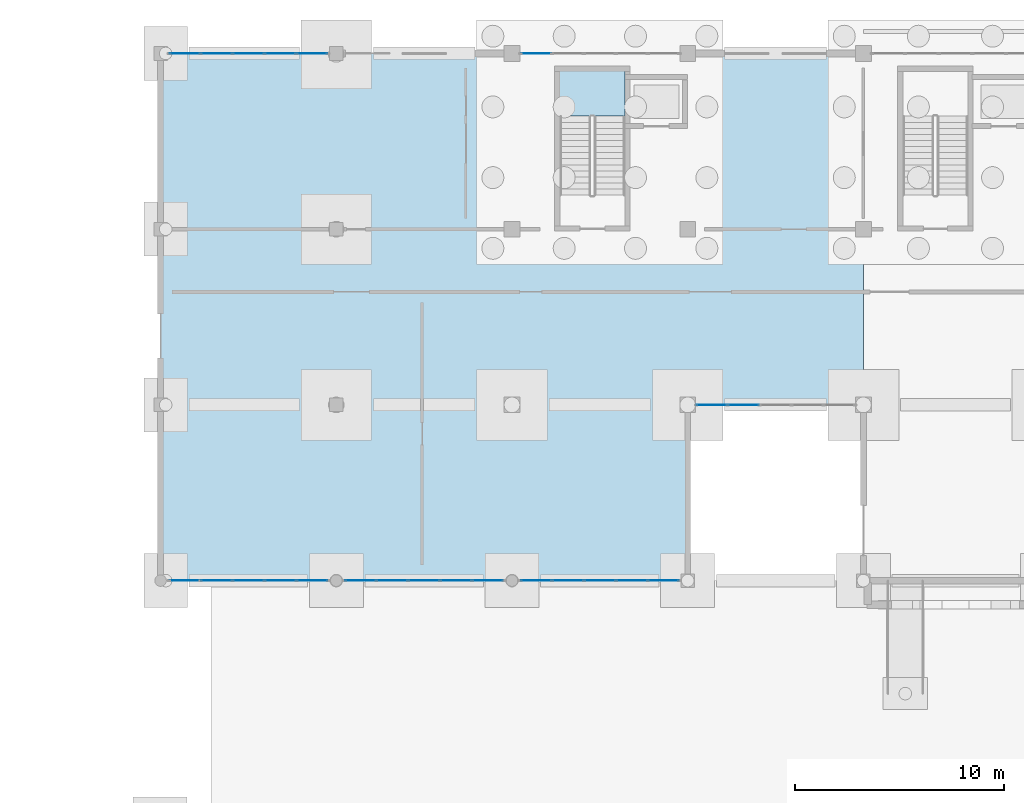
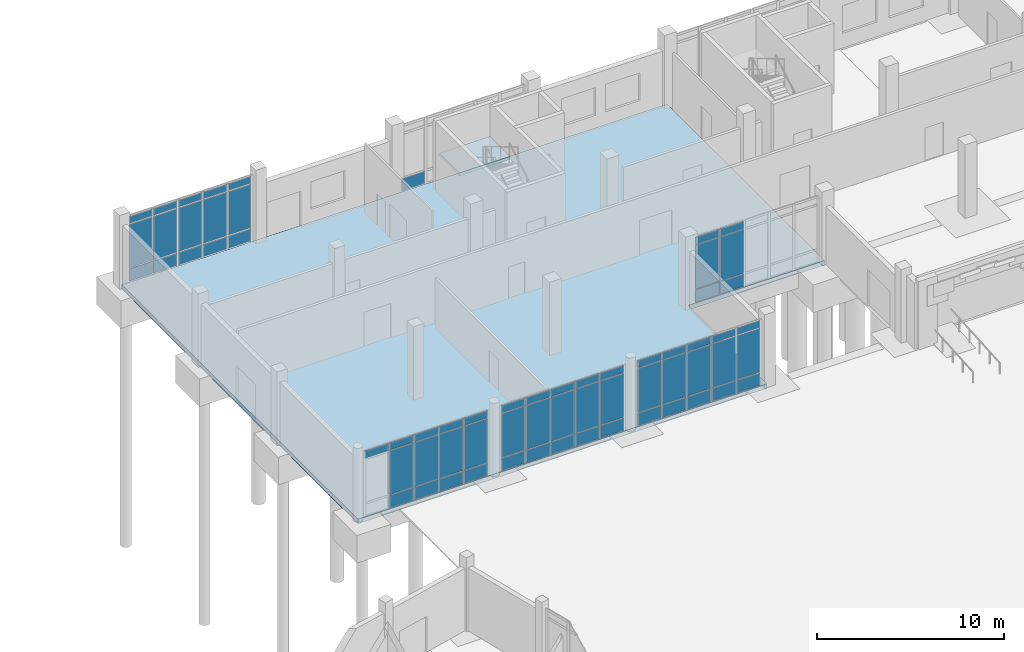
# One storey, part 36 of 72: 65 plates, 2 slabs, 7 elements without a shape of their own.
"""IFC4 building model written with IfcOpenShell, lengths in metres."""

from ifc_helpers import new_model, si_unit, direction, frame, origin, origin_2d, place, context, subcontext, project, spatial, polyline, rectangle, outline, extrude, material, layer, layer_set, type_object, element, aggregate, save


model = new_model("IFC4")

# Units and contexts
model_context = context("Model", 3, precision=1e-05, world=origin(), true_north=direction((0.0, 1.0)))
body_context = subcontext(model_context, "Body", "Model", "MODEL_VIEW")
ifc_project = project(units=[si_unit("LENGTHUNIT", "METRE"), si_unit("AREAUNIT", "SQUARE_METRE"), si_unit("VOLUMEUNIT", "CUBIC_METRE"), si_unit("PLANEANGLEUNIT", "RADIAN"), si_unit("MASSUNIT", "GRAM", prefix="KILO")], contexts=[model_context])

# Site, building, storey
site_placement = place(None, origin())
site = spatial("IfcSite", under=ifc_project, at=site_placement, CompositionType="ELEMENT")
building_placement = place(site_placement, origin())
building = spatial("IfcBuilding", under=site, at=building_placement, Name="Cinderway Yard Community Centre", CompositionType="ELEMENT")
storey_placement = place(building_placement, origin())
storey = spatial("IfcBuildingStorey", under=building, at=storey_placement, Name="L00", CompositionType="ELEMENT", Elevation=0.0)

# Curtain wall, plates
ifc_material_1 = material(Name="Aluminium 6063-T6", Category="aluminium")
curtain_wall_type = type_object("IfcCurtainWallType", Name="ENV-CW-TYPE-24", PredefinedType="USERDEFINED", material=ifc_material_1)
curtain_wall_1_placement = place(storey_placement, origin())
curtain_wall_1 = element("IfcCurtainWall", 1, at=curtain_wall_1_placement, inside=storey, type_object=curtain_wall_type, Name="V4 Courtyard Curtain Wall ENV-CW-L00-ST-0109", ObjectType="GLAZED CURTAIN WALL", PredefinedType="USERDEFINED")
ifc_material_2 = material(Name="Laminated Low-E Glass", Category="glass")
ifc_layer_1 = layer(ifc_material_2, 0.028076171875, Name="Laminated Low-E Glass")
ifc_layer_set_1 = layer_set([ifc_layer_1], Name="Laminated Low-E Glass")
plate_type_1 = type_object("IfcPlateType", Name="ENV-CW-PAN-IGU28", PredefinedType="CURTAIN_PANEL", material=ifc_layer_set_1)
plate_1_placement = place(storey_placement, frame((42.759033203125, 90.0, 3.830078125), z_axis=(0.0, 0.0, 1.0), x_axis=(1.0, 0.0, 0.0)))
plate_1 = element("IfcPlate", 2, at=plate_1_placement, type_object=plate_type_1, Name="CW-24 panel 1.3", PredefinedType="CURTAIN_PANEL", context=body_context, shape_type="SweptSolid", body=[
    extrude(rectangle(XDim=1.43798828125, YDim=0.028076171875, at=origin_2d()), origin(), (0.0, 0.0, 1.0), 0.4599609375),
])
plate_2_placement = place(storey_placement, frame((44.27197265625, 90.0, 0.06005859375), z_axis=(0.0, 0.0, 1.0), x_axis=(1.0, 0.0, 0.0)))
plate_2 = element("IfcPlate", 3, at=plate_2_placement, type_object=plate_type_1, Name="CW-24 panel 2.1", PredefinedType="CURTAIN_PANEL", context=body_context, shape_type="SweptSolid", body=[
    extrude(rectangle(XDim=1.468017578125, YDim=0.028076171875, at=origin_2d()), origin(), (0.0, 0.0, 1.0), 0.81005859375),
])
plate_3_placement = place(storey_placement, frame((44.27197265625, 90.0, 0.93017578125), z_axis=(0.0, 0.0, 1.0), x_axis=(1.0, 0.0, 0.0)))
plate_3 = element("IfcPlate", 4, at=plate_3_placement, type_object=plate_type_1, Name="CW-24 panel 2.2", PredefinedType="CURTAIN_PANEL", context=body_context, shape_type="SweptSolid", body=[
    extrude(rectangle(XDim=1.468017578125, YDim=0.028076171875, at=origin_2d()), origin(), (0.0, 0.0, 1.0), 2.840087890625),
])
plate_4_placement = place(storey_placement, frame((44.27197265625, 90.0, 3.830078125), z_axis=(0.0, 0.0, 1.0), x_axis=(1.0, 0.0, 0.0)))
plate_4 = element("IfcPlate", 5, at=plate_4_placement, type_object=plate_type_1, Name="CW-24 panel 2.3", PredefinedType="CURTAIN_PANEL", context=body_context, shape_type="SweptSolid", body=[
    extrude(rectangle(XDim=1.468017578125, YDim=0.028076171875, at=origin_2d()), origin(), (0.0, 0.0, 1.0), 0.4599609375),
])
plate_5_placement = place(storey_placement, frame((45.800048828125, 90.0, 0.06005859375), z_axis=(0.0, 0.0, 1.0), x_axis=(1.0, 0.0, 0.0)))
plate_5 = element("IfcPlate", 6, at=plate_5_placement, type_object=plate_type_1, Name="CW-24 panel 3.1", PredefinedType="CURTAIN_PANEL", context=body_context, shape_type="SweptSolid", body=[
    extrude(rectangle(XDim=1.468017578125, YDim=0.028076171875, at=origin_2d()), origin(), (0.0, 0.0, 1.0), 0.81005859375),
])
plate_6_placement = place(storey_placement, frame((45.800048828125, 90.0, 0.93017578125), z_axis=(0.0, 0.0, 1.0), x_axis=(1.0, 0.0, 0.0)))
plate_6 = element("IfcPlate", 7, at=plate_6_placement, type_object=plate_type_1, Name="CW-24 panel 3.2", PredefinedType="CURTAIN_PANEL", context=body_context, shape_type="SweptSolid", body=[
    extrude(rectangle(XDim=1.468017578125, YDim=0.028076171875, at=origin_2d()), origin(), (0.0, 0.0, 1.0), 2.840087890625),
])
plate_7_placement = place(storey_placement, frame((45.800048828125, 90.0, 3.830078125), z_axis=(0.0, 0.0, 1.0), x_axis=(1.0, 0.0, 0.0)))
plate_7 = element("IfcPlate", 8, at=plate_7_placement, type_object=plate_type_1, Name="CW-24 panel 3.3", PredefinedType="CURTAIN_PANEL", context=body_context, shape_type="SweptSolid", body=[
    extrude(rectangle(XDim=1.468017578125, YDim=0.028076171875, at=origin_2d()), origin(), (0.0, 0.0, 1.0), 0.4599609375),
])
plate_8_placement = place(storey_placement, frame((47.327880859375, 90.0, 0.06005859375), z_axis=(0.0, 0.0, 1.0), x_axis=(1.0, 0.0, 0.0)))
plate_8 = element("IfcPlate", 9, at=plate_8_placement, type_object=plate_type_1, Name="CW-24 panel 4.1", PredefinedType="CURTAIN_PANEL", context=body_context, shape_type="SweptSolid", body=[
    extrude(rectangle(XDim=1.468017578125, YDim=0.028076171875, at=origin_2d()), origin(), (0.0, 0.0, 1.0), 0.81005859375),
])
plate_9_placement = place(storey_placement, frame((47.327880859375, 90.0, 0.93017578125), z_axis=(0.0, 0.0, 1.0), x_axis=(1.0, 0.0, 0.0)))
plate_9 = element("IfcPlate", 10, at=plate_9_placement, type_object=plate_type_1, Name="CW-24 panel 4.2", PredefinedType="CURTAIN_PANEL", context=body_context, shape_type="SweptSolid", body=[
    extrude(rectangle(XDim=1.468017578125, YDim=0.028076171875, at=origin_2d()), origin(), (0.0, 0.0, 1.0), 2.840087890625),
])
plate_10_placement = place(storey_placement, frame((47.327880859375, 90.0, 3.830078125), z_axis=(0.0, 0.0, 1.0), x_axis=(1.0, 0.0, 0.0)))
plate_10 = element("IfcPlate", 11, at=plate_10_placement, type_object=plate_type_1, Name="CW-24 panel 4.3", PredefinedType="CURTAIN_PANEL", context=body_context, shape_type="SweptSolid", body=[
    extrude(rectangle(XDim=1.468017578125, YDim=0.028076171875, at=origin_2d()), origin(), (0.0, 0.0, 1.0), 0.4599609375),
])
plate_11_placement = place(storey_placement, frame((48.841064453125, 90.0, 0.06005859375), z_axis=(0.0, 0.0, 1.0), x_axis=(1.0, 0.0, 0.0)))
plate_11 = element("IfcPlate", 12, at=plate_11_placement, type_object=plate_type_1, Name="CW-24 panel 5.1", PredefinedType="CURTAIN_PANEL", context=body_context, shape_type="SweptSolid", body=[
    extrude(rectangle(XDim=1.43798828125, YDim=0.028076171875, at=origin_2d()), origin(), (0.0, 0.0, 1.0), 0.81005859375),
])
plate_12_placement = place(storey_placement, frame((48.841064453125, 90.0, 0.93017578125), z_axis=(0.0, 0.0, 1.0), x_axis=(1.0, 0.0, 0.0)))
plate_12 = element("IfcPlate", 13, at=plate_12_placement, type_object=plate_type_1, Name="CW-24 panel 5.2", PredefinedType="CURTAIN_PANEL", context=body_context, shape_type="SweptSolid", body=[
    extrude(rectangle(XDim=1.43798828125, YDim=0.028076171875, at=origin_2d()), origin(), (0.0, 0.0, 1.0), 2.840087890625),
])
plate_13_placement = place(storey_placement, frame((48.841064453125, 90.0, 3.830078125), z_axis=(0.0, 0.0, 1.0), x_axis=(1.0, 0.0, 0.0)))
plate_13 = element("IfcPlate", 14, at=plate_13_placement, type_object=plate_type_1, Name="CW-24 panel 5.3", PredefinedType="CURTAIN_PANEL", context=body_context, shape_type="SweptSolid", body=[
    extrude(rectangle(XDim=1.43798828125, YDim=0.028076171875, at=origin_2d()), origin(), (0.0, 0.0, 1.0), 0.4599609375),
])
aggregate(curtain_wall_1, [plate_1, plate_2, plate_3, plate_4, plate_5, plate_6, plate_7, plate_8, plate_9, plate_10, plate_11, plate_12, plate_13])

curtain_wall_2_placement = place(storey_placement, origin())
curtain_wall_2 = element("IfcCurtainWall", 15, at=curtain_wall_2_placement, inside=storey, type_object=curtain_wall_type, Name="V4 Courtyard Curtain Wall ENV-CW-L00-ST-0110", ObjectType="GLAZED CURTAIN WALL", PredefinedType="USERDEFINED")
plate_14_placement = place(storey_placement, frame((51.158935546875, 90.0, 0.06005859375), z_axis=(0.0, 0.0, 1.0), x_axis=(1.0, 0.0, 0.0)))
plate_14 = element("IfcPlate", 16, at=plate_14_placement, type_object=plate_type_1, Name="CW-24 panel 1.1", PredefinedType="CURTAIN_PANEL", context=body_context, shape_type="SweptSolid", body=[
    extrude(rectangle(XDim=1.43798828125, YDim=0.028076171875, at=origin_2d()), origin(), (0.0, 0.0, 1.0), 0.81005859375),
])
plate_15_placement = place(storey_placement, frame((51.158935546875, 90.0, 0.93017578125), z_axis=(0.0, 0.0, 1.0), x_axis=(1.0, 0.0, 0.0)))
plate_15 = element("IfcPlate", 17, at=plate_15_placement, type_object=plate_type_1, Name="CW-24 panel 1.2", PredefinedType="CURTAIN_PANEL", context=body_context, shape_type="SweptSolid", body=[
    extrude(rectangle(XDim=1.43798828125, YDim=0.028076171875, at=origin_2d()), origin(), (0.0, 0.0, 1.0), 2.840087890625),
])
plate_16_placement = place(storey_placement, frame((51.158935546875, 90.0, 3.830078125), z_axis=(0.0, 0.0, 1.0), x_axis=(1.0, 0.0, 0.0)))
plate_16 = element("IfcPlate", 18, at=plate_16_placement, type_object=plate_type_1, Name="CW-24 panel 1.3", PredefinedType="CURTAIN_PANEL", context=body_context, shape_type="SweptSolid", body=[
    extrude(rectangle(XDim=1.43798828125, YDim=0.028076171875, at=origin_2d()), origin(), (0.0, 0.0, 1.0), 0.4599609375),
])
plate_17_placement = place(storey_placement, frame((52.672119140625, 90.0, 0.06005859375), z_axis=(0.0, 0.0, 1.0), x_axis=(1.0, 0.0, 0.0)))
plate_17 = element("IfcPlate", 19, at=plate_17_placement, type_object=plate_type_1, Name="CW-24 panel 2.1", PredefinedType="CURTAIN_PANEL", context=body_context, shape_type="SweptSolid", body=[
    extrude(rectangle(XDim=1.468017578125, YDim=0.028076171875, at=origin_2d()), origin(), (0.0, 0.0, 1.0), 0.81005859375),
])
plate_18_placement = place(storey_placement, frame((52.672119140625, 90.0, 0.93017578125), z_axis=(0.0, 0.0, 1.0), x_axis=(1.0, 0.0, 0.0)))
plate_18 = element("IfcPlate", 20, at=plate_18_placement, type_object=plate_type_1, Name="CW-24 panel 2.2", PredefinedType="CURTAIN_PANEL", context=body_context, shape_type="SweptSolid", body=[
    extrude(rectangle(XDim=1.468017578125, YDim=0.028076171875, at=origin_2d()), origin(), (0.0, 0.0, 1.0), 2.840087890625),
])
plate_19_placement = place(storey_placement, frame((52.672119140625, 90.0, 3.830078125), z_axis=(0.0, 0.0, 1.0), x_axis=(1.0, 0.0, 0.0)))
plate_19 = element("IfcPlate", 21, at=plate_19_placement, type_object=plate_type_1, Name="CW-24 panel 2.3", PredefinedType="CURTAIN_PANEL", context=body_context, shape_type="SweptSolid", body=[
    extrude(rectangle(XDim=1.468017578125, YDim=0.028076171875, at=origin_2d()), origin(), (0.0, 0.0, 1.0), 0.4599609375),
])
plate_20_placement = place(storey_placement, frame((54.199951171875, 90.0, 0.06005859375), z_axis=(0.0, 0.0, 1.0), x_axis=(1.0, 0.0, 0.0)))
plate_20 = element("IfcPlate", 22, at=plate_20_placement, type_object=plate_type_1, Name="CW-24 panel 3.1", PredefinedType="CURTAIN_PANEL", context=body_context, shape_type="SweptSolid", body=[
    extrude(rectangle(XDim=1.468017578125, YDim=0.028076171875, at=origin_2d()), origin(), (0.0, 0.0, 1.0), 0.81005859375),
])
plate_21_placement = place(storey_placement, frame((54.199951171875, 90.0, 0.93017578125), z_axis=(0.0, 0.0, 1.0), x_axis=(1.0, 0.0, 0.0)))
plate_21 = element("IfcPlate", 23, at=plate_21_placement, type_object=plate_type_1, Name="CW-24 panel 3.2", PredefinedType="CURTAIN_PANEL", context=body_context, shape_type="SweptSolid", body=[
    extrude(rectangle(XDim=1.468017578125, YDim=0.028076171875, at=origin_2d()), origin(), (0.0, 0.0, 1.0), 2.840087890625),
])
plate_22_placement = place(storey_placement, frame((54.199951171875, 90.0, 3.830078125), z_axis=(0.0, 0.0, 1.0), x_axis=(1.0, 0.0, 0.0)))
plate_22 = element("IfcPlate", 24, at=plate_22_placement, type_object=plate_type_1, Name="CW-24 panel 3.3", PredefinedType="CURTAIN_PANEL", context=body_context, shape_type="SweptSolid", body=[
    extrude(rectangle(XDim=1.468017578125, YDim=0.028076171875, at=origin_2d()), origin(), (0.0, 0.0, 1.0), 0.4599609375),
])
plate_23_placement = place(storey_placement, frame((55.72802734375, 90.0, 0.06005859375), z_axis=(0.0, 0.0, 1.0), x_axis=(1.0, 0.0, 0.0)))
plate_23 = element("IfcPlate", 25, at=plate_23_placement, type_object=plate_type_1, Name="CW-24 panel 4.1", PredefinedType="CURTAIN_PANEL", context=body_context, shape_type="SweptSolid", body=[
    extrude(rectangle(XDim=1.468017578125, YDim=0.028076171875, at=origin_2d()), origin(), (0.0, 0.0, 1.0), 0.81005859375),
])
plate_24_placement = place(storey_placement, frame((55.72802734375, 90.0, 0.93017578125), z_axis=(0.0, 0.0, 1.0), x_axis=(1.0, 0.0, 0.0)))
plate_24 = element("IfcPlate", 26, at=plate_24_placement, type_object=plate_type_1, Name="CW-24 panel 4.2", PredefinedType="CURTAIN_PANEL", context=body_context, shape_type="SweptSolid", body=[
    extrude(rectangle(XDim=1.468017578125, YDim=0.028076171875, at=origin_2d()), origin(), (0.0, 0.0, 1.0), 2.840087890625),
])
plate_25_placement = place(storey_placement, frame((55.72802734375, 90.0, 3.830078125), z_axis=(0.0, 0.0, 1.0), x_axis=(1.0, 0.0, 0.0)))
plate_25 = element("IfcPlate", 27, at=plate_25_placement, type_object=plate_type_1, Name="CW-24 panel 4.3", PredefinedType="CURTAIN_PANEL", context=body_context, shape_type="SweptSolid", body=[
    extrude(rectangle(XDim=1.468017578125, YDim=0.028076171875, at=origin_2d()), origin(), (0.0, 0.0, 1.0), 0.4599609375),
])
plate_26_placement = place(storey_placement, frame((57.240966796875, 90.0, 0.06005859375), z_axis=(0.0, 0.0, 1.0), x_axis=(1.0, 0.0, 0.0)))
plate_26 = element("IfcPlate", 28, at=plate_26_placement, type_object=plate_type_1, Name="CW-24 panel 5.1", PredefinedType="CURTAIN_PANEL", context=body_context, shape_type="SweptSolid", body=[
    extrude(rectangle(XDim=1.43798828125, YDim=0.028076171875, at=origin_2d()), origin(), (0.0, 0.0, 1.0), 0.81005859375),
])
plate_27_placement = place(storey_placement, frame((57.240966796875, 90.0, 0.93017578125), z_axis=(0.0, 0.0, 1.0), x_axis=(1.0, 0.0, 0.0)))
plate_27 = element("IfcPlate", 29, at=plate_27_placement, type_object=plate_type_1, Name="CW-24 panel 5.2", PredefinedType="CURTAIN_PANEL", context=body_context, shape_type="SweptSolid", body=[
    extrude(rectangle(XDim=1.43798828125, YDim=0.028076171875, at=origin_2d()), origin(), (0.0, 0.0, 1.0), 2.840087890625),
])
plate_28_placement = place(storey_placement, frame((57.240966796875, 90.0, 3.830078125), z_axis=(0.0, 0.0, 1.0), x_axis=(1.0, 0.0, 0.0)))
plate_28 = element("IfcPlate", 30, at=plate_28_placement, type_object=plate_type_1, Name="CW-24 panel 5.3", PredefinedType="CURTAIN_PANEL", context=body_context, shape_type="SweptSolid", body=[
    extrude(rectangle(XDim=1.43798828125, YDim=0.028076171875, at=origin_2d()), origin(), (0.0, 0.0, 1.0), 0.4599609375),
])
aggregate(curtain_wall_2, [plate_14, plate_15, plate_16, plate_17, plate_18, plate_19, plate_20, plate_21, plate_22, plate_23, plate_24, plate_25, plate_26, plate_27, plate_28])

curtain_wall_3_placement = place(storey_placement, origin())
curtain_wall_3 = element("IfcCurtainWall", 31, at=curtain_wall_3_placement, inside=storey, type_object=curtain_wall_type, Name="V4 Courtyard Curtain Wall ENV-CW-L00-ST-0112", ObjectType="GLAZED CURTAIN WALL", PredefinedType="USERDEFINED")
plate_29_placement = place(storey_placement, frame((59.55908203125, 90.0, 0.06005859375), z_axis=(0.0, 0.0, 1.0), x_axis=(1.0, 0.0, 0.0)))
plate_29 = element("IfcPlate", 32, at=plate_29_placement, type_object=plate_type_1, Name="CW-24 panel 1.1", PredefinedType="CURTAIN_PANEL", context=body_context, shape_type="SweptSolid", body=[
    extrude(rectangle(XDim=1.43798828125, YDim=0.028076171875, at=origin_2d()), origin(), (0.0, 0.0, 1.0), 0.81005859375),
])
plate_30_placement = place(storey_placement, frame((59.55908203125, 90.0, 0.93017578125), z_axis=(0.0, 0.0, 1.0), x_axis=(1.0, 0.0, 0.0)))
plate_30 = element("IfcPlate", 33, at=plate_30_placement, type_object=plate_type_1, Name="CW-24 panel 1.2", PredefinedType="CURTAIN_PANEL", context=body_context, shape_type="SweptSolid", body=[
    extrude(rectangle(XDim=1.43798828125, YDim=0.028076171875, at=origin_2d()), origin(), (0.0, 0.0, 1.0), 2.840087890625),
])
plate_31_placement = place(storey_placement, frame((59.55908203125, 90.0, 3.830078125), z_axis=(0.0, 0.0, 1.0), x_axis=(1.0, 0.0, 0.0)))
plate_31 = element("IfcPlate", 34, at=plate_31_placement, type_object=plate_type_1, Name="CW-24 panel 1.3", PredefinedType="CURTAIN_PANEL", context=body_context, shape_type="SweptSolid", body=[
    extrude(rectangle(XDim=1.43798828125, YDim=0.028076171875, at=origin_2d()), origin(), (0.0, 0.0, 1.0), 0.4599609375),
])
plate_32_placement = place(storey_placement, frame((61.072021484375, 90.0, 0.06005859375), z_axis=(0.0, 0.0, 1.0), x_axis=(1.0, 0.0, 0.0)))
plate_32 = element("IfcPlate", 35, at=plate_32_placement, type_object=plate_type_1, Name="CW-24 panel 2.1", PredefinedType="CURTAIN_PANEL", context=body_context, shape_type="SweptSolid", body=[
    extrude(rectangle(XDim=1.468017578125, YDim=0.028076171875, at=origin_2d()), origin(), (0.0, 0.0, 1.0), 0.81005859375),
])
plate_33_placement = place(storey_placement, frame((61.072021484375, 90.0, 0.93017578125), z_axis=(0.0, 0.0, 1.0), x_axis=(1.0, 0.0, 0.0)))
plate_33 = element("IfcPlate", 36, at=plate_33_placement, type_object=plate_type_1, Name="CW-24 panel 2.2", PredefinedType="CURTAIN_PANEL", context=body_context, shape_type="SweptSolid", body=[
    extrude(rectangle(XDim=1.468017578125, YDim=0.028076171875, at=origin_2d()), origin(), (0.0, 0.0, 1.0), 2.840087890625),
])
plate_34_placement = place(storey_placement, frame((61.072021484375, 90.0, 3.830078125), z_axis=(0.0, 0.0, 1.0), x_axis=(1.0, 0.0, 0.0)))
plate_34 = element("IfcPlate", 37, at=plate_34_placement, type_object=plate_type_1, Name="CW-24 panel 2.3", PredefinedType="CURTAIN_PANEL", context=body_context, shape_type="SweptSolid", body=[
    extrude(rectangle(XDim=1.468017578125, YDim=0.028076171875, at=origin_2d()), origin(), (0.0, 0.0, 1.0), 0.4599609375),
])
plate_35_placement = place(storey_placement, frame((62.60009765625, 90.0, 0.06005859375), z_axis=(0.0, 0.0, 1.0), x_axis=(1.0, 0.0, 0.0)))
plate_35 = element("IfcPlate", 38, at=plate_35_placement, type_object=plate_type_1, Name="CW-24 panel 3.1", PredefinedType="CURTAIN_PANEL", context=body_context, shape_type="SweptSolid", body=[
    extrude(rectangle(XDim=1.468017578125, YDim=0.028076171875, at=origin_2d()), origin(), (0.0, 0.0, 1.0), 0.81005859375),
])
plate_36_placement = place(storey_placement, frame((62.60009765625, 90.0, 0.93017578125), z_axis=(0.0, 0.0, 1.0), x_axis=(1.0, 0.0, 0.0)))
plate_36 = element("IfcPlate", 39, at=plate_36_placement, type_object=plate_type_1, Name="CW-24 panel 3.2", PredefinedType="CURTAIN_PANEL", context=body_context, shape_type="SweptSolid", body=[
    extrude(rectangle(XDim=1.468017578125, YDim=0.028076171875, at=origin_2d()), origin(), (0.0, 0.0, 1.0), 2.840087890625),
])
plate_37_placement = place(storey_placement, frame((62.60009765625, 90.0, 3.830078125), z_axis=(0.0, 0.0, 1.0), x_axis=(1.0, 0.0, 0.0)))
plate_37 = element("IfcPlate", 40, at=plate_37_placement, type_object=plate_type_1, Name="CW-24 panel 3.3", PredefinedType="CURTAIN_PANEL", context=body_context, shape_type="SweptSolid", body=[
    extrude(rectangle(XDim=1.468017578125, YDim=0.028076171875, at=origin_2d()), origin(), (0.0, 0.0, 1.0), 0.4599609375),
])
plate_38_placement = place(storey_placement, frame((64.1279296875, 90.0, 0.06005859375), z_axis=(0.0, 0.0, 1.0), x_axis=(1.0, 0.0, 0.0)))
plate_38 = element("IfcPlate", 41, at=plate_38_placement, type_object=plate_type_1, Name="CW-24 panel 4.1", PredefinedType="CURTAIN_PANEL", context=body_context, shape_type="SweptSolid", body=[
    extrude(rectangle(XDim=1.468017578125, YDim=0.028076171875, at=origin_2d()), origin(), (0.0, 0.0, 1.0), 0.81005859375),
])
plate_39_placement = place(storey_placement, frame((64.1279296875, 90.0, 0.93017578125), z_axis=(0.0, 0.0, 1.0), x_axis=(1.0, 0.0, 0.0)))
plate_39 = element("IfcPlate", 42, at=plate_39_placement, type_object=plate_type_1, Name="CW-24 panel 4.2", PredefinedType="CURTAIN_PANEL", context=body_context, shape_type="SweptSolid", body=[
    extrude(rectangle(XDim=1.468017578125, YDim=0.028076171875, at=origin_2d()), origin(), (0.0, 0.0, 1.0), 2.840087890625),
])
plate_40_placement = place(storey_placement, frame((64.1279296875, 90.0, 3.830078125), z_axis=(0.0, 0.0, 1.0), x_axis=(1.0, 0.0, 0.0)))
plate_40 = element("IfcPlate", 43, at=plate_40_placement, type_object=plate_type_1, Name="CW-24 panel 4.3", PredefinedType="CURTAIN_PANEL", context=body_context, shape_type="SweptSolid", body=[
    extrude(rectangle(XDim=1.468017578125, YDim=0.028076171875, at=origin_2d()), origin(), (0.0, 0.0, 1.0), 0.4599609375),
])
plate_41_placement = place(storey_placement, frame((65.64111328125, 90.0, 0.06005859375), z_axis=(0.0, 0.0, 1.0), x_axis=(1.0, 0.0, 0.0)))
plate_41 = element("IfcPlate", 44, at=plate_41_placement, type_object=plate_type_1, Name="CW-24 panel 5.1", PredefinedType="CURTAIN_PANEL", context=body_context, shape_type="SweptSolid", body=[
    extrude(rectangle(XDim=1.43798828125, YDim=0.028076171875, at=origin_2d()), origin(), (0.0, 0.0, 1.0), 0.81005859375),
])
plate_42_placement = place(storey_placement, frame((65.64111328125, 90.0, 0.93017578125), z_axis=(0.0, 0.0, 1.0), x_axis=(1.0, 0.0, 0.0)))
plate_42 = element("IfcPlate", 45, at=plate_42_placement, type_object=plate_type_1, Name="CW-24 panel 5.2", PredefinedType="CURTAIN_PANEL", context=body_context, shape_type="SweptSolid", body=[
    extrude(rectangle(XDim=1.43798828125, YDim=0.028076171875, at=origin_2d()), origin(), (0.0, 0.0, 1.0), 2.840087890625),
])
plate_43_placement = place(storey_placement, frame((65.64111328125, 90.0, 3.830078125), z_axis=(0.0, 0.0, 1.0), x_axis=(1.0, 0.0, 0.0)))
plate_43 = element("IfcPlate", 46, at=plate_43_placement, type_object=plate_type_1, Name="CW-24 panel 5.3", PredefinedType="CURTAIN_PANEL", context=body_context, shape_type="SweptSolid", body=[
    extrude(rectangle(XDim=1.43798828125, YDim=0.028076171875, at=origin_2d()), origin(), (0.0, 0.0, 1.0), 0.4599609375),
])
aggregate(curtain_wall_3, [plate_29, plate_30, plate_31, plate_32, plate_33, plate_34, plate_35, plate_36, plate_37, plate_38, plate_39, plate_40, plate_41, plate_42, plate_43])

curtain_wall_4_placement = place(storey_placement, origin())
curtain_wall_4 = element("IfcCurtainWall", 47, at=curtain_wall_4_placement, inside=storey, type_object=curtain_wall_type, Name="V4 Courtyard Curtain Wall ENV-CW-L00-ST-0113", ObjectType="GLAZED CURTAIN WALL", PredefinedType="USERDEFINED")
plate_44_placement = place(storey_placement, frame((67.958984375, 98.39990234375, 0.06005859375), z_axis=(0.0, 0.0, 1.0), x_axis=(1.0, 0.0, 0.0)))
plate_44 = element("IfcPlate", 48, at=plate_44_placement, type_object=plate_type_1, Name="CW-24 panel 1.1", PredefinedType="CURTAIN_PANEL", context=body_context, shape_type="SweptSolid", body=[
    extrude(rectangle(XDim=1.43798828125, YDim=0.028076171875, at=origin_2d()), origin(), (0.0, 0.0, 1.0), 0.81005859375),
])
plate_45_placement = place(storey_placement, frame((67.958984375, 98.39990234375, 0.93017578125), z_axis=(0.0, 0.0, 1.0), x_axis=(1.0, 0.0, 0.0)))
plate_45 = element("IfcPlate", 49, at=plate_45_placement, type_object=plate_type_1, Name="CW-24 panel 1.2", PredefinedType="CURTAIN_PANEL", context=body_context, shape_type="SweptSolid", body=[
    extrude(rectangle(XDim=1.43798828125, YDim=0.028076171875, at=origin_2d()), origin(), (0.0, 0.0, 1.0), 2.840087890625),
])
plate_46_placement = place(storey_placement, frame((67.958984375, 98.39990234375, 3.830078125), z_axis=(0.0, 0.0, 1.0), x_axis=(1.0, 0.0, 0.0)))
plate_46 = element("IfcPlate", 50, at=plate_46_placement, type_object=plate_type_1, Name="CW-24 panel 1.3", PredefinedType="CURTAIN_PANEL", context=body_context, shape_type="SweptSolid", body=[
    extrude(rectangle(XDim=1.43798828125, YDim=0.028076171875, at=origin_2d()), origin(), (0.0, 0.0, 1.0), 0.4599609375),
])
plate_47_placement = place(storey_placement, frame((69.471923828125, 98.39990234375, 0.06005859375), z_axis=(0.0, 0.0, 1.0), x_axis=(1.0, 0.0, 0.0)))
plate_47 = element("IfcPlate", 51, at=plate_47_placement, type_object=plate_type_1, Name="CW-24 panel 2.1", PredefinedType="CURTAIN_PANEL", context=body_context, shape_type="SweptSolid", body=[
    extrude(rectangle(XDim=1.468017578125, YDim=0.028076171875, at=origin_2d()), origin(), (0.0, 0.0, 1.0), 0.81005859375),
])
plate_48_placement = place(storey_placement, frame((69.471923828125, 98.39990234375, 0.93017578125), z_axis=(0.0, 0.0, 1.0), x_axis=(1.0, 0.0, 0.0)))
plate_48 = element("IfcPlate", 52, at=plate_48_placement, type_object=plate_type_1, Name="CW-24 panel 2.2", PredefinedType="CURTAIN_PANEL", context=body_context, shape_type="SweptSolid", body=[
    extrude(rectangle(XDim=1.468017578125, YDim=0.028076171875, at=origin_2d()), origin(), (0.0, 0.0, 1.0), 2.840087890625),
])
plate_49_placement = place(storey_placement, frame((69.471923828125, 98.39990234375, 3.830078125), z_axis=(0.0, 0.0, 1.0), x_axis=(1.0, 0.0, 0.0)))
plate_49 = element("IfcPlate", 53, at=plate_49_placement, type_object=plate_type_1, Name="CW-24 panel 2.3", PredefinedType="CURTAIN_PANEL", context=body_context, shape_type="SweptSolid", body=[
    extrude(rectangle(XDim=1.468017578125, YDim=0.028076171875, at=origin_2d()), origin(), (0.0, 0.0, 1.0), 0.4599609375),
])
aggregate(curtain_wall_4, [plate_44, plate_45, plate_46, plate_47, plate_48, plate_49])

curtain_wall_5_placement = place(storey_placement, origin())
curtain_wall_5 = element("IfcCurtainWall", 54, at=curtain_wall_5_placement, inside=storey, type_object=curtain_wall_type, Name="V4 Street Curtain Wall ENV-CW-L00-HS-0108", ObjectType="GLAZED CURTAIN WALL", PredefinedType="USERDEFINED")
ifc_layer_2 = layer(ifc_material_2, 0.031982421875, Name="Laminated Low-E Glass")
ifc_layer_set_2 = layer_set([ifc_layer_2], Name="Laminated Low-E Glass")
plate_type_2 = type_object("IfcPlateType", Name="ENV-CW-PAN-IGU32", PredefinedType="CURTAIN_PANEL", material=ifc_layer_set_2)
plate_50_placement = place(storey_placement, frame((42.759033203125, 115.199951171875, 0.06005859375), z_axis=(0.0, 0.0, 1.0), x_axis=(1.0, 0.0, 0.0)))
plate_50 = element("IfcPlate", 55, at=plate_50_placement, type_object=plate_type_2, Name="CW-24 panel 1.1", PredefinedType="CURTAIN_PANEL", context=body_context, shape_type="SweptSolid", body=[
    extrude(rectangle(XDim=1.43798828125, YDim=0.028076171875, at=origin_2d()), origin(), (0.0, 0.0, 1.0), 0.81005859375),
])
plate_51_placement = place(storey_placement, frame((42.759033203125, 115.199951171875, 0.93017578125), z_axis=(0.0, 0.0, 1.0), x_axis=(1.0, 0.0, 0.0)))
plate_51 = element("IfcPlate", 56, at=plate_51_placement, type_object=plate_type_2, Name="CW-24 panel 1.2", PredefinedType="CURTAIN_PANEL", context=body_context, shape_type="SweptSolid", body=[
    extrude(rectangle(XDim=1.43798828125, YDim=0.028076171875, at=origin_2d()), origin(), (0.0, 0.0, 1.0), 2.840087890625),
])
plate_52_placement = place(storey_placement, frame((42.759033203125, 115.199951171875, 3.830078125), z_axis=(0.0, 0.0, 1.0), x_axis=(1.0, 0.0, 0.0)))
plate_52 = element("IfcPlate", 57, at=plate_52_placement, type_object=plate_type_2, Name="CW-24 panel 1.3", PredefinedType="CURTAIN_PANEL", context=body_context, shape_type="SweptSolid", body=[
    extrude(rectangle(XDim=1.43798828125, YDim=0.028076171875, at=origin_2d()), origin(), (0.0, 0.0, 1.0), 0.4599609375),
])
plate_53_placement = place(storey_placement, frame((44.27197265625, 115.199951171875, 0.06005859375), z_axis=(0.0, 0.0, 1.0), x_axis=(1.0, 0.0, 0.0)))
plate_53 = element("IfcPlate", 58, at=plate_53_placement, type_object=plate_type_2, Name="CW-24 panel 2.1", PredefinedType="CURTAIN_PANEL", context=body_context, shape_type="SweptSolid", body=[
    extrude(rectangle(XDim=1.468017578125, YDim=0.028076171875, at=origin_2d()), origin(), (0.0, 0.0, 1.0), 0.81005859375),
])
plate_54_placement = place(storey_placement, frame((44.27197265625, 115.199951171875, 0.93017578125), z_axis=(0.0, 0.0, 1.0), x_axis=(1.0, 0.0, 0.0)))
plate_54 = element("IfcPlate", 59, at=plate_54_placement, type_object=plate_type_2, Name="CW-24 panel 2.2", PredefinedType="CURTAIN_PANEL", context=body_context, shape_type="SweptSolid", body=[
    extrude(rectangle(XDim=1.468017578125, YDim=0.028076171875, at=origin_2d()), origin(), (0.0, 0.0, 1.0), 2.840087890625),
])
plate_55_placement = place(storey_placement, frame((44.27197265625, 115.199951171875, 3.830078125), z_axis=(0.0, 0.0, 1.0), x_axis=(1.0, 0.0, 0.0)))
plate_55 = element("IfcPlate", 60, at=plate_55_placement, type_object=plate_type_2, Name="CW-24 panel 2.3", PredefinedType="CURTAIN_PANEL", context=body_context, shape_type="SweptSolid", body=[
    extrude(rectangle(XDim=1.468017578125, YDim=0.028076171875, at=origin_2d()), origin(), (0.0, 0.0, 1.0), 0.4599609375),
])
plate_56_placement = place(storey_placement, frame((45.800048828125, 115.199951171875, 0.06005859375), z_axis=(0.0, 0.0, 1.0), x_axis=(1.0, 0.0, 0.0)))
plate_56 = element("IfcPlate", 61, at=plate_56_placement, type_object=plate_type_2, Name="CW-24 panel 3.1", PredefinedType="CURTAIN_PANEL", context=body_context, shape_type="SweptSolid", body=[
    extrude(rectangle(XDim=1.468017578125, YDim=0.028076171875, at=origin_2d()), origin(), (0.0, 0.0, 1.0), 0.81005859375),
])
plate_57_placement = place(storey_placement, frame((45.800048828125, 115.199951171875, 0.93017578125), z_axis=(0.0, 0.0, 1.0), x_axis=(1.0, 0.0, 0.0)))
plate_57 = element("IfcPlate", 62, at=plate_57_placement, type_object=plate_type_2, Name="CW-24 panel 3.2", PredefinedType="CURTAIN_PANEL", context=body_context, shape_type="SweptSolid", body=[
    extrude(rectangle(XDim=1.468017578125, YDim=0.028076171875, at=origin_2d()), origin(), (0.0, 0.0, 1.0), 2.840087890625),
])
plate_58_placement = place(storey_placement, frame((45.800048828125, 115.199951171875, 3.830078125), z_axis=(0.0, 0.0, 1.0), x_axis=(1.0, 0.0, 0.0)))
plate_58 = element("IfcPlate", 63, at=plate_58_placement, type_object=plate_type_2, Name="CW-24 panel 3.3", PredefinedType="CURTAIN_PANEL", context=body_context, shape_type="SweptSolid", body=[
    extrude(rectangle(XDim=1.468017578125, YDim=0.028076171875, at=origin_2d()), origin(), (0.0, 0.0, 1.0), 0.4599609375),
])
plate_59_placement = place(storey_placement, frame((47.327880859375, 115.199951171875, 0.06005859375), z_axis=(0.0, 0.0, 1.0), x_axis=(1.0, 0.0, 0.0)))
plate_59 = element("IfcPlate", 64, at=plate_59_placement, type_object=plate_type_2, Name="CW-24 panel 4.1", PredefinedType="CURTAIN_PANEL", context=body_context, shape_type="SweptSolid", body=[
    extrude(rectangle(XDim=1.468017578125, YDim=0.028076171875, at=origin_2d()), origin(), (0.0, 0.0, 1.0), 0.81005859375),
])
plate_60_placement = place(storey_placement, frame((47.327880859375, 115.199951171875, 0.93017578125), z_axis=(0.0, 0.0, 1.0), x_axis=(1.0, 0.0, 0.0)))
plate_60 = element("IfcPlate", 65, at=plate_60_placement, type_object=plate_type_2, Name="CW-24 panel 4.2", PredefinedType="CURTAIN_PANEL", context=body_context, shape_type="SweptSolid", body=[
    extrude(rectangle(XDim=1.468017578125, YDim=0.028076171875, at=origin_2d()), origin(), (0.0, 0.0, 1.0), 2.840087890625),
])
plate_61_placement = place(storey_placement, frame((47.327880859375, 115.199951171875, 3.830078125), z_axis=(0.0, 0.0, 1.0), x_axis=(1.0, 0.0, 0.0)))
plate_61 = element("IfcPlate", 66, at=plate_61_placement, type_object=plate_type_2, Name="CW-24 panel 4.3", PredefinedType="CURTAIN_PANEL", context=body_context, shape_type="SweptSolid", body=[
    extrude(rectangle(XDim=1.468017578125, YDim=0.028076171875, at=origin_2d()), origin(), (0.0, 0.0, 1.0), 0.4599609375),
])
plate_62_placement = place(storey_placement, frame((48.841064453125, 115.199951171875, 0.06005859375), z_axis=(0.0, 0.0, 1.0), x_axis=(1.0, 0.0, 0.0)))
plate_62 = element("IfcPlate", 67, at=plate_62_placement, type_object=plate_type_2, Name="CW-24 panel 5.1", PredefinedType="CURTAIN_PANEL", context=body_context, shape_type="SweptSolid", body=[
    extrude(rectangle(XDim=1.43798828125, YDim=0.028076171875, at=origin_2d()), origin(), (0.0, 0.0, 1.0), 0.81005859375),
])
plate_63_placement = place(storey_placement, frame((48.841064453125, 115.199951171875, 0.93017578125), z_axis=(0.0, 0.0, 1.0), x_axis=(1.0, 0.0, 0.0)))
plate_63 = element("IfcPlate", 68, at=plate_63_placement, type_object=plate_type_2, Name="CW-24 panel 5.2", PredefinedType="CURTAIN_PANEL", context=body_context, shape_type="SweptSolid", body=[
    extrude(rectangle(XDim=1.43798828125, YDim=0.028076171875, at=origin_2d()), origin(), (0.0, 0.0, 1.0), 2.840087890625),
])
plate_64_placement = place(storey_placement, frame((48.841064453125, 115.199951171875, 3.830078125), z_axis=(0.0, 0.0, 1.0), x_axis=(1.0, 0.0, 0.0)))
plate_64 = element("IfcPlate", 69, at=plate_64_placement, type_object=plate_type_2, Name="CW-24 panel 5.3", PredefinedType="CURTAIN_PANEL", context=body_context, shape_type="SweptSolid", body=[
    extrude(rectangle(XDim=1.43798828125, YDim=0.028076171875, at=origin_2d()), origin(), (0.0, 0.0, 1.0), 0.4599609375),
])
aggregate(curtain_wall_5, [plate_50, plate_51, plate_52, plate_53, plate_54, plate_55, plate_56, plate_57, plate_58, plate_59, plate_60, plate_61, plate_62, plate_63, plate_64])

# Curtain wall, plate
curtain_wall_6_placement = place(storey_placement, origin())
curtain_wall_6 = element("IfcCurtainWall", 70, at=curtain_wall_6_placement, inside=storey, type_object=curtain_wall_type, Name="V4 Street Curtain Wall ENV-CW-L00-HS-0111", ObjectType="GLAZED CURTAIN WALL", PredefinedType="USERDEFINED")
plate_65_placement = place(storey_placement, frame((59.55908203125, 115.199951171875, 0.06005859375), z_axis=(0.0, 0.0, 1.0), x_axis=(1.0, 0.0, 0.0)))
plate_65 = element("IfcPlate", 71, at=plate_65_placement, type_object=plate_type_2, Name="CW-24 panel 1.1", PredefinedType="CURTAIN_PANEL", context=body_context, shape_type="SweptSolid", body=[
    extrude(rectangle(XDim=1.43798828125, YDim=0.028076171875, at=origin_2d()), origin(), (0.0, 0.0, 1.0), 0.81005859375),
])
aggregate(curtain_wall_6, [plate_65])

# Stair, slab
ifc_material_3 = material(Name="Concrete C40/50", Category="concrete")
stair_type = type_object("IfcStairType", Name="INT-STR-480A", PredefinedType="HALF_TURN_STAIR", material=ifc_material_3)
stair_placement = place(storey_placement, origin())
stair = element("IfcStair", 72, at=stair_placement, inside=storey, type_object=stair_type, Name="L00 Core C1 Exit Stair ST-01", PredefinedType="HALF_TURN_STAIR")
ifc_layer_3 = layer(ifc_material_3, 0.199951171875, Name="Concrete C40/50")
ifc_layer_set_3 = layer_set([ifc_layer_3], Name="Concrete C40/50")
slab_type_1 = type_object("IfcSlabType", Name="INT-SLB-LND200", PredefinedType="LANDING", material=ifc_layer_set_3)
slab_1_placement = place(storey_placement, frame((0.0, 0.0, 2.199951171875)))
slab_1 = element("IfcSlab", 73, at=slab_1_placement, type_object=slab_type_1, Name="ST-01 landing 1", PredefinedType="LANDING", context=body_context, shape_type="SweptSolid", body=[
    extrude(outline(polyline([(63.800048828125, 112.199951171875), (63.800048828125, 114.35009765625), (60.679931640625, 114.35009765625), (60.679931640625, 112.199951171875), (63.800048828125, 112.199951171875)])), origin(), (0.0, 0.0, 1.0), 0.199951171875),
])
aggregate(stair, [slab_1])

# Slab
ifc_material_4 = material(Name="Concrete C35/45", Category="concrete")
ifc_layer_4 = layer(ifc_material_4, 0.300048828125, Name="Concrete C35/45")
ifc_layer_set_4 = layer_set([ifc_layer_4], Name="Concrete C35/45")
slab_type_2 = type_object("IfcSlabType", Name="STR-SLAB-BASE-300", PredefinedType="BASESLAB", material=ifc_layer_set_4)
slab_2_placement = place(storey_placement, frame((0.0, 0.0, -0.300048828125)))
element("IfcSlab", 74, at=slab_2_placement, inside=storey, type_object=slab_type_2, Name="Learning Wing West Ground Slab STR-SLAB-L00-004", PredefinedType="BASESLAB", context=body_context, shape_type="SweptSolid", body=[
    extrude(outline(polyline([(41.60009765625, 90.0), (66.800048828125, 90.0), (66.800048828125, 98.39990234375), (75.199951171875, 98.39990234375), (75.199951171875, 115.199951171875), (41.60009765625, 115.199951171875), (41.60009765625, 90.0)])), origin(), (0.0, 0.0, 1.0), 0.300048828125),
])

save(model, "model.ifc")
